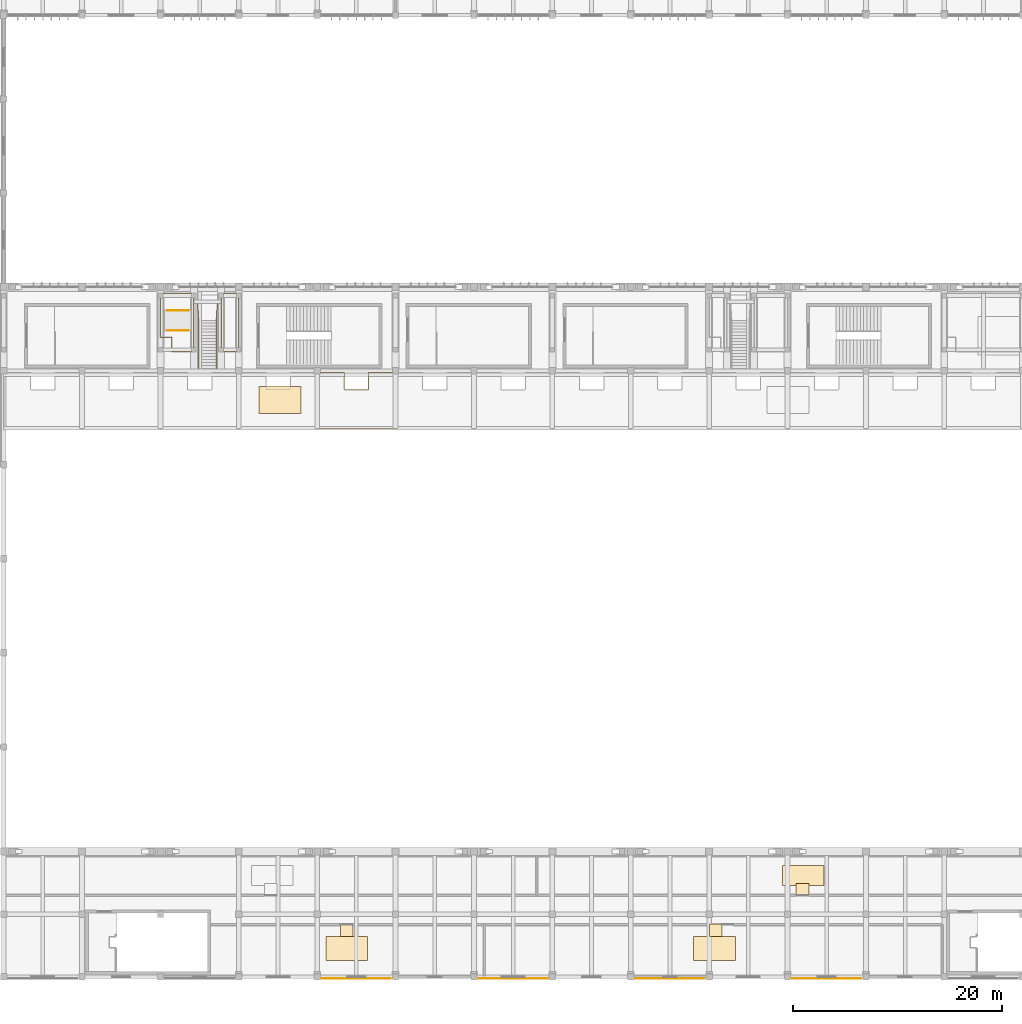
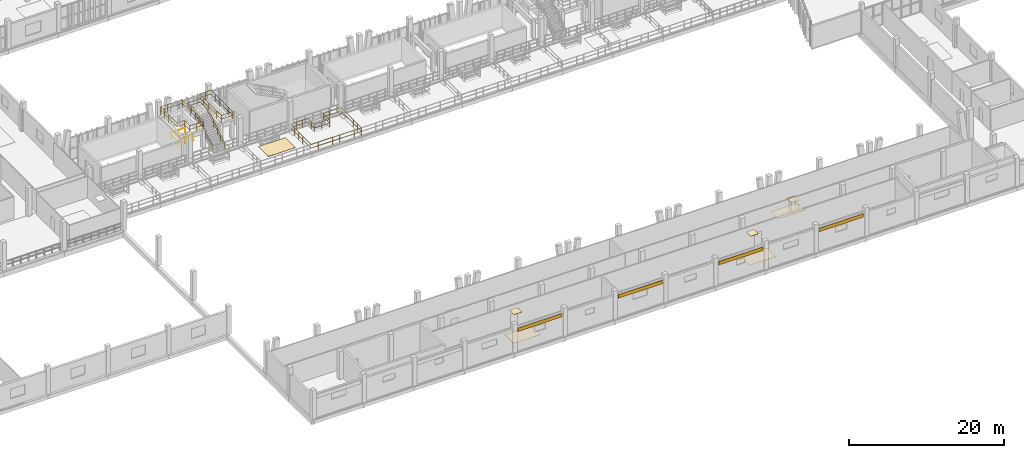
# One storey, part 68 of 81: 11 coverings, 6 railings.
"""IFC4 building model written with IfcOpenShell, lengths in metres."""

from ifc_helpers import new_model, si_unit, direction, frame, origin, origin_2d, place, context, subcontext, project, spatial, rectangle, circle, extrude, material, layer, layer_set, type_object, element, save


model = new_model("IFC4")

# Units and contexts
model_context = context("Model", 3, precision=1e-05, world=origin(), true_north=direction((0.0, 1.0)))
body_context = subcontext(model_context, "Body", "Model", "MODEL_VIEW")
ifc_project = project(units=[si_unit("LENGTHUNIT", "METRE"), si_unit("AREAUNIT", "SQUARE_METRE"), si_unit("VOLUMEUNIT", "CUBIC_METRE"), si_unit("PLANEANGLEUNIT", "RADIAN"), si_unit("MASSUNIT", "GRAM", prefix="KILO")], contexts=[model_context])

# Site, building, storey
site_placement = place(None, origin())
site = spatial("IfcSite", under=ifc_project, at=site_placement, CompositionType="ELEMENT")
building_placement = place(site_placement, origin())
building = spatial("IfcBuilding", under=site, at=building_placement, Name="Vourika Railside Aquatics Centre", CompositionType="ELEMENT")
storey_placement = place(building_placement, frame((0.0, 0.0, 4.800048828125)))
storey = spatial("IfcBuildingStorey", under=building, at=storey_placement, Name="L01", CompositionType="ELEMENT", Elevation=4.800048828125)

# Coverings
ifc_material_1 = material(Name="Perforated moisture-resistant acoustic gypsum ceiling")
ifc_layer_1 = layer(ifc_material_1, 0.02490234375, Name="COV-CEIL-25")
ifc_layer_set_1 = layer_set([ifc_layer_1], Name="Perforated moisture-resistant acoustic gypsum ceiling")
covering_type_1 = type_object("IfcCoveringType", Name="COV-CEIL-25", PredefinedType="CEILING", material=ifc_layer_set_1)
for number, where, z_axis, x_axis, name in (
    (1, (68.820068359375, 4.47998046875, 2.637451171875), (0.0, 0.0, 1.0), (1.0, 0.0, 0.0), "School Group Wet Changing Suite Acoustic Ceiling Panel"),
    (2, (104.14501953125, 4.47998046875, 2.637451171875), (0.0, 0.0, 1.0), (1.0, 0.0, 0.0), "Swimming Club Locker and Changing Suite Acoustic Ceiling Panel"),
    (3, (112.43505859375, 8.320068359375, 2.637451171875), (0.0, 0.0, 1.0), (1.0, 0.0, 0.0), "Championship Officials and Timekeepers Changing Suite East Acoustic Ceiling Panel"),
):
    element("IfcCovering", number, at=place(storey_placement, frame(where, z_axis=z_axis, x_axis=x_axis)), inside=storey, type_object=covering_type_1, Name=name, PredefinedType="CEILING", context=body_context, shape_type="SweptSolid", body=[
        extrude(rectangle(XDim=1.199951171875, YDim=1.199951171875, at=origin_2d()), origin(), (0.0, 0.0, 1.0), 0.02490234375),
    ])
ifc_material_2 = material(Name="Bronze-anodized aluminium rainscreen", Category="aluminium")
ifc_layer_2 = layer(ifc_material_2, 0.044921875, Name="COV-CLAD-45")
ifc_layer_set_2 = layer_set([ifc_layer_2], Name="Bronze-anodized aluminium rainscreen")
covering_type_2 = type_object("IfcCoveringType", Name="COV-CLAD-45", PredefinedType="CLADDING", material=ifc_layer_set_2)
for number, where, z_axis, x_axis, name in (
    (4, (69.75, -0.1650390625, 3.07470703125), (0.0, 0.0, 1.0), (1.0, 0.0, 0.0), "Perforated Bronze Rainscreen Band CL-034"),
    (5, (84.75, -0.1650390625, 3.07470703125), (0.0, 0.0, 1.0), (1.0, 0.0, 0.0), "Perforated Bronze Rainscreen Band CL-035"),
    (6, (99.75, -0.1650390625, 3.07470703125), (0.0, 0.0, 1.0), (1.0, 0.0, 0.0), "Perforated Bronze Rainscreen Band CL-036"),
    (7, (114.75, -0.1650390625, 3.07470703125), (0.0, 0.0, 1.0), (1.0, 0.0, 0.0), "Perforated Bronze Rainscreen Band CL-037"),
):
    element("IfcCovering", number, at=place(storey_placement, frame(where, z_axis=z_axis, x_axis=x_axis)), inside=storey, type_object=covering_type_2, Name=name, PredefinedType="CLADDING", context=body_context, shape_type="SweptSolid", body=[
        extrude(rectangle(XDim=6.60009765625, YDim=0.044921875, at=origin_2d()), origin(), (0.0, 0.0, 1.0), 0.550048828125),
    ])
ifc_material_3 = material(Name="Slip-resistant aqua ceramic sports flooring")
ifc_layer_3 = layer(ifc_material_3, 0.02001953125, Name="COV-FLOR-20")
ifc_layer_set_3 = layer_set([ifc_layer_3], Name="Slip-resistant aqua ceramic sports flooring")
covering_type_3 = type_object("IfcCoveringType", Name="COV-FLOR-20", PredefinedType="FLOORING", material=ifc_layer_set_3)
covering_1_placement = place(storey_placement, frame((62.449951171875, 55.199951171875, 0.0), z_axis=(0.0, 0.0, 1.0), x_axis=(1.0, 0.0, 0.0)))
element("IfcCovering", 8, at=covering_1_placement, inside=storey, type_object=covering_type_3, Name="Lower Tier Stands Sports Flooring Panel", PredefinedType="FLOORING", context=body_context, shape_type="SweptSolid", body=[
    extrude(rectangle(XDim=4.0, YDim=2.60009765625, at=origin_2d()), origin(), (0.0, 0.0, 1.0), 0.02001953125),
])
for number, where, z_axis, x_axis, name in (
    (9, (68.820068359375, 2.699951171875, 0.0), (0.0, 0.0, 1.0), (1.0, 0.0, 0.0), "School Group Wet Changing Suite Sports Flooring Panel"),
    (10, (104.0, 2.699951171875, 0.0), (0.0, 0.0, 1.0), (1.0, 0.0, 0.0), "Swimming Club Locker and Changing Suite Sports Flooring Panel"),
):
    element("IfcCovering", number, at=place(storey_placement, frame(where, z_axis=z_axis, x_axis=x_axis)), inside=storey, type_object=covering_type_3, Name=name, PredefinedType="FLOORING", context=body_context, shape_type="SweptSolid", body=[
        extrude(rectangle(XDim=4.0, YDim=2.300048828125, at=origin_2d()), origin(), (0.0, 0.0, 1.0), 0.02001953125),
    ])
covering_2_placement = place(storey_placement, frame((112.5, 9.699951171875, 0.0), z_axis=(0.0, 0.0, 1.0), x_axis=(1.0, 0.0, 0.0)))
element("IfcCovering", 11, at=covering_2_placement, inside=storey, type_object=covering_type_3, Name="Championship Officials and Timekeepers Changing Suite East Sports Flooring Panel", PredefinedType="FLOORING", context=body_context, shape_type="SweptSolid", body=[
    extrude(rectangle(XDim=4.0, YDim=1.89990234375, at=origin_2d()), origin(), (0.0, 0.0, 1.0), 0.02001953125),
])

# Railings
ifc_material_4 = material(Name="Duplex stainless steel EN 1.4462", Category="steel")
railing_type_1 = type_object("IfcRailingType", Name="RL-BAL-STD120", PredefinedType="BALUSTRADE", material=ifc_material_4)
railing_1_placement = place(storey_placement, frame((54.199951171875, 59.800048828125, 3.02001953125)))
element("IfcRailing", 12, at=railing_1_placement, inside=storey, type_object=railing_type_1, Name="Spectator Stand Crowd Barrier (Stand Upper Tier Bay 03-1)", PredefinedType="BALUSTRADE", context=body_context, shape_type="SweptSolid", body=[
    extrude(circle(Radius=0.02392578125, at=origin_2d()), frame((0.0, 0.0, 1.17578125), z_axis=(-1.0, 0.0, 0.0), x_axis=(0.0, -1.0, 0.0)), (0.0, 0.0, 1.0), 2.099853515625),
    extrude(circle(Radius=0.02392578125, at=origin_2d()), frame((0.0, 0.0, 0.60009765625), z_axis=(-1.0, 0.0, 0.0), x_axis=(0.0, -1.0, 0.0)), (0.0, 0.0, 1.0), 2.099853515625),
    extrude(circle(Radius=0.02392578125, at=origin_2d()), frame((-2.099853515625, 0.0, 1.17578125), z_axis=(0.0, 1.0, 0.0), x_axis=(-1.0, 0.0, 0.0)), (0.0, 0.0, 1.0), 1.39990234375),
    extrude(circle(Radius=0.02392578125, at=origin_2d()), frame((-2.099853515625, 0.0, 0.60009765625), z_axis=(0.0, 1.0, 0.0), x_axis=(-1.0, 0.0, 0.0)), (0.0, 0.0, 1.0), 1.39990234375),
    extrude(circle(Radius=0.02392578125, at=origin_2d()), frame((-2.099853515625, 1.39990234375, 1.17578125), z_axis=(-1.0, 0.0, 0.0), x_axis=(0.0, -1.0, 0.0)), (0.0, 0.0, 1.0), 1.10009765625),
    extrude(circle(Radius=0.02392578125, at=origin_2d()), frame((-2.099853515625, 1.39990234375, 0.60009765625), z_axis=(-1.0, 0.0, 0.0), x_axis=(0.0, -1.0, 0.0)), (0.0, 0.0, 1.0), 1.10009765625),
    extrude(circle(Radius=0.02392578125, at=origin_2d()), frame((-3.199951171875, 1.39990234375, 1.17578125), z_axis=(0.0, 1.0, 0.0), x_axis=(-1.0, 0.0, 0.0)), (0.0, 0.0, 1.0), 4.199951171875),
    extrude(circle(Radius=0.02392578125, at=origin_2d()), frame((-3.199951171875, 1.39990234375, 0.60009765625), z_axis=(0.0, 1.0, 0.0), x_axis=(-1.0, 0.0, 0.0)), (0.0, 0.0, 1.0), 4.199951171875),
    extrude(circle(Radius=0.02392578125, at=origin_2d()), frame((-3.199951171875, 5.599853515625, 1.17578125), z_axis=(1.0, 0.0, 0.0), x_axis=(0.0, 1.0, 0.0)), (0.0, 0.0, 1.0), 3.199951171875),
    extrude(circle(Radius=0.02392578125, at=origin_2d()), frame((-3.199951171875, 5.599853515625, 0.60009765625), z_axis=(1.0, 0.0, 0.0), x_axis=(0.0, 1.0, 0.0)), (0.0, 0.0, 1.0), 3.199951171875),
    extrude(circle(Radius=0.02392578125, at=origin_2d()), frame((0.0, 5.599853515625, 1.17578125), z_axis=(0.0, -1.0, 0.0), x_axis=(1.0, 0.0, 0.0)), (0.0, 0.0, 1.0), 5.599853515625),
    extrude(circle(Radius=0.02392578125, at=origin_2d()), frame((0.0, 5.599853515625, 0.60009765625), z_axis=(0.0, -1.0, 0.0), x_axis=(1.0, 0.0, 0.0)), (0.0, 0.0, 1.0), 5.599853515625),
    extrude(circle(Radius=0.02099609375, at=origin_2d()), origin(), (0.0, 0.0, 1.0), 1.15185546875),
    extrude(circle(Radius=0.02099609375, at=origin_2d()), frame((-1.0498046875, 0.0, 0.0)), (0.0, 0.0, 1.0), 1.15185546875),
    extrude(circle(Radius=0.02099609375, at=origin_2d()), frame((-2.099853515625, 0.0, 0.0)), (0.0, 0.0, 1.0), 1.15185546875),
    extrude(circle(Radius=0.02099609375, at=origin_2d()), frame((-2.099853515625, 0.699951171875, 0.0)), (0.0, 0.0, 1.0), 1.15185546875),
    extrude(circle(Radius=0.02099609375, at=origin_2d()), frame((-2.099853515625, 1.39990234375, 0.0)), (0.0, 0.0, 1.0), 1.15185546875),
    extrude(circle(Radius=0.02099609375, at=origin_2d()), frame((-3.199951171875, 1.39990234375, 0.0)), (0.0, 0.0, 1.0), 1.15185546875),
    extrude(circle(Radius=0.02099609375, at=origin_2d()), frame((-3.199951171875, 2.449951171875, 0.0)), (0.0, 0.0, 1.0), 1.15185546875),
    extrude(circle(Radius=0.02099609375, at=origin_2d()), frame((-3.199951171875, 3.5, 0.0)), (0.0, 0.0, 1.0), 1.15185546875),
    extrude(circle(Radius=0.02099609375, at=origin_2d()), frame((-3.199951171875, 4.5498046875, 0.0)), (0.0, 0.0, 1.0), 1.15185546875),
    extrude(circle(Radius=0.02099609375, at=origin_2d()), frame((-3.199951171875, 5.599853515625, 0.0)), (0.0, 0.0, 1.0), 1.15185546875),
    extrude(circle(Radius=0.02099609375, at=origin_2d()), frame((-2.13330078125, 5.599853515625, 0.0)), (0.0, 0.0, 1.0), 1.15185546875),
    extrude(circle(Radius=0.02099609375, at=origin_2d()), frame((-1.066650390625, 5.599853515625, 0.0)), (0.0, 0.0, 1.0), 1.15185546875),
    extrude(circle(Radius=0.02099609375, at=origin_2d()), frame((0.0, 5.599853515625, 0.0)), (0.0, 0.0, 1.0), 1.15185546875),
    extrude(circle(Radius=0.02099609375, at=origin_2d()), frame((0.0, 4.47998046875, 0.0)), (0.0, 0.0, 1.0), 1.15185546875),
    extrude(circle(Radius=0.02099609375, at=origin_2d()), frame((0.0, 3.35986328125, 0.0)), (0.0, 0.0, 1.0), 1.15185546875),
    extrude(circle(Radius=0.02099609375, at=origin_2d()), frame((0.0, 2.239990234375, 0.0)), (0.0, 0.0, 1.0), 1.15185546875),
    extrude(circle(Radius=0.02099609375, at=origin_2d()), frame((0.0, 1.119873046875, 0.0)), (0.0, 0.0, 1.0), 1.15185546875),
])
railing_2_placement = place(storey_placement, frame((58.5, 59.800048828125, 3.02001953125)))
element("IfcRailing", 13, at=railing_2_placement, inside=storey, type_object=railing_type_1, Name="Spectator Stand Crowd Barrier (Stand Upper Tier Bay 03-2)", PredefinedType="BALUSTRADE", context=body_context, shape_type="SweptSolid", body=[
    extrude(circle(Radius=0.02392578125, at=origin_2d()), frame((0.0, 0.0, 1.17578125), z_axis=(-1.0, 0.0, 0.0), x_axis=(0.0, -1.0, 0.0)), (0.0, 0.0, 1.0), 1.699951171875),
    extrude(circle(Radius=0.02392578125, at=origin_2d()), frame((0.0, 0.0, 0.60009765625), z_axis=(-1.0, 0.0, 0.0), x_axis=(0.0, -1.0, 0.0)), (0.0, 0.0, 1.0), 1.699951171875),
    extrude(circle(Radius=0.02392578125, at=origin_2d()), frame((-1.699951171875, 0.0, 1.17578125), z_axis=(0.0, 1.0, 0.0), x_axis=(-1.0, 0.0, 0.0)), (0.0, 0.0, 1.0), 5.599853515625),
    extrude(circle(Radius=0.02392578125, at=origin_2d()), frame((-1.699951171875, 0.0, 0.60009765625), z_axis=(0.0, 1.0, 0.0), x_axis=(-1.0, 0.0, 0.0)), (0.0, 0.0, 1.0), 5.599853515625),
    extrude(circle(Radius=0.02392578125, at=origin_2d()), frame((-1.699951171875, 5.599853515625, 1.17578125), z_axis=(1.0, 0.0, 0.0), x_axis=(0.0, 1.0, 0.0)), (0.0, 0.0, 1.0), 1.699951171875),
    extrude(circle(Radius=0.02392578125, at=origin_2d()), frame((-1.699951171875, 5.599853515625, 0.60009765625), z_axis=(1.0, 0.0, 0.0), x_axis=(0.0, 1.0, 0.0)), (0.0, 0.0, 1.0), 1.699951171875),
    extrude(circle(Radius=0.02392578125, at=origin_2d()), frame((0.0, 5.599853515625, 1.17578125), z_axis=(0.0, -1.0, 0.0), x_axis=(1.0, 0.0, 0.0)), (0.0, 0.0, 1.0), 5.599853515625),
    extrude(circle(Radius=0.02392578125, at=origin_2d()), frame((0.0, 5.599853515625, 0.60009765625), z_axis=(0.0, -1.0, 0.0), x_axis=(1.0, 0.0, 0.0)), (0.0, 0.0, 1.0), 5.599853515625),
    extrude(circle(Radius=0.02099609375, at=origin_2d()), origin(), (0.0, 0.0, 1.0), 1.15185546875),
    extrude(circle(Radius=0.02099609375, at=origin_2d()), frame((-0.85009765625, 0.0, 0.0)), (0.0, 0.0, 1.0), 1.15185546875),
    extrude(circle(Radius=0.02099609375, at=origin_2d()), frame((-1.699951171875, 0.0, 0.0)), (0.0, 0.0, 1.0), 1.15185546875),
    extrude(circle(Radius=0.02099609375, at=origin_2d()), frame((-1.699951171875, 1.119873046875, 0.0)), (0.0, 0.0, 1.0), 1.15185546875),
    extrude(circle(Radius=0.02099609375, at=origin_2d()), frame((-1.699951171875, 2.239990234375, 0.0)), (0.0, 0.0, 1.0), 1.15185546875),
    extrude(circle(Radius=0.02099609375, at=origin_2d()), frame((-1.699951171875, 3.35986328125, 0.0)), (0.0, 0.0, 1.0), 1.15185546875),
    extrude(circle(Radius=0.02099609375, at=origin_2d()), frame((-1.699951171875, 4.47998046875, 0.0)), (0.0, 0.0, 1.0), 1.15185546875),
    extrude(circle(Radius=0.02099609375, at=origin_2d()), frame((-1.699951171875, 5.599853515625, 0.0)), (0.0, 0.0, 1.0), 1.15185546875),
    extrude(circle(Radius=0.02099609375, at=origin_2d()), frame((-0.85009765625, 5.599853515625, 0.0)), (0.0, 0.0, 1.0), 1.15185546875),
    extrude(circle(Radius=0.02099609375, at=origin_2d()), frame((0.0, 5.599853515625, 0.0)), (0.0, 0.0, 1.0), 1.15185546875),
    extrude(circle(Radius=0.02099609375, at=origin_2d()), frame((0.0, 4.47998046875, 0.0)), (0.0, 0.0, 1.0), 1.15185546875),
    extrude(circle(Radius=0.02099609375, at=origin_2d()), frame((0.0, 3.35986328125, 0.0)), (0.0, 0.0, 1.0), 1.15185546875),
    extrude(circle(Radius=0.02099609375, at=origin_2d()), frame((0.0, 2.239990234375, 0.0)), (0.0, 0.0, 1.0), 1.15185546875),
    extrude(circle(Radius=0.02099609375, at=origin_2d()), frame((0.0, 1.119873046875, 0.0)), (0.0, 0.0, 1.0), 1.15185546875),
])
railing_3_placement = place(storey_placement, frame((73.5, 57.800048828125, -0.35009765625)))
element("IfcRailing", 14, at=railing_3_placement, inside=storey, type_object=railing_type_1, Name="Spectator Stand Crowd Barrier (Stand Lower Tier Bay 05)", PredefinedType="BALUSTRADE", context=body_context, shape_type="SweptSolid", body=[
    extrude(circle(Radius=0.02392578125, at=origin_2d()), frame((0.0, 0.0, 1.17578125), z_axis=(0.0, -1.0, 0.0), x_axis=(1.0, 0.0, 0.0)), (0.0, 0.0, 1.0), 5.300048828125),
    extrude(circle(Radius=0.02392578125, at=origin_2d()), frame((0.0, 0.0, 0.60009765625), z_axis=(0.0, -1.0, 0.0), x_axis=(1.0, 0.0, 0.0)), (0.0, 0.0, 1.0), 5.300048828125),
    extrude(circle(Radius=0.02392578125, at=origin_2d()), frame((0.0, -5.300048828125, 1.17578125), z_axis=(-1.0, 0.0, 0.0), x_axis=(0.0, -1.0, 0.0)), (0.0, 0.0, 1.0), 7.5),
    extrude(circle(Radius=0.02392578125, at=origin_2d()), frame((0.0, -5.300048828125, 0.60009765625), z_axis=(-1.0, 0.0, 0.0), x_axis=(0.0, -1.0, 0.0)), (0.0, 0.0, 1.0), 7.5),
    extrude(circle(Radius=0.02392578125, at=origin_2d()), frame((-7.5, -5.300048828125, 1.17578125), z_axis=(0.0, 1.0, 0.0), x_axis=(-1.0, 0.0, 0.0)), (0.0, 0.0, 1.0), 5.300048828125),
    extrude(circle(Radius=0.02392578125, at=origin_2d()), frame((-7.5, -5.300048828125, 0.60009765625), z_axis=(0.0, 1.0, 0.0), x_axis=(-1.0, 0.0, 0.0)), (0.0, 0.0, 1.0), 5.300048828125),
    extrude(circle(Radius=0.02392578125, at=origin_2d()), frame((-7.5, 0.0, 1.17578125), z_axis=(1.0, 0.0, 0.0), x_axis=(0.0, 1.0, 0.0)), (0.0, 0.0, 1.0), 2.60009765625),
    extrude(circle(Radius=0.02392578125, at=origin_2d()), frame((-7.5, 0.0, 0.60009765625), z_axis=(1.0, 0.0, 0.0), x_axis=(0.0, 1.0, 0.0)), (0.0, 0.0, 1.0), 2.60009765625),
    extrude(circle(Radius=0.02392578125, at=origin_2d()), frame((-4.89990234375, 0.0, 1.17578125), z_axis=(0.0, -1.0, 0.0), x_axis=(1.0, 0.0, 0.0)), (0.0, 0.0, 1.0), 1.60009765625),
    extrude(circle(Radius=0.02392578125, at=origin_2d()), frame((-4.89990234375, 0.0, 0.60009765625), z_axis=(0.0, -1.0, 0.0), x_axis=(1.0, 0.0, 0.0)), (0.0, 0.0, 1.0), 1.60009765625),
    extrude(circle(Radius=0.02392578125, at=origin_2d()), frame((-4.89990234375, -1.60009765625, 1.17578125), z_axis=(1.0, 0.0, 0.0), x_axis=(0.0, 1.0, 0.0)), (0.0, 0.0, 1.0), 2.2998046875),
    extrude(circle(Radius=0.02392578125, at=origin_2d()), frame((-4.89990234375, -1.60009765625, 0.60009765625), z_axis=(1.0, 0.0, 0.0), x_axis=(0.0, 1.0, 0.0)), (0.0, 0.0, 1.0), 2.2998046875),
    extrude(circle(Radius=0.02392578125, at=origin_2d()), frame((-2.60009765625, -1.60009765625, 1.17578125), z_axis=(0.0, 1.0, 0.0), x_axis=(-1.0, 0.0, 0.0)), (0.0, 0.0, 1.0), 1.60009765625),
    extrude(circle(Radius=0.02392578125, at=origin_2d()), frame((-2.60009765625, -1.60009765625, 0.60009765625), z_axis=(0.0, 1.0, 0.0), x_axis=(-1.0, 0.0, 0.0)), (0.0, 0.0, 1.0), 1.60009765625),
    extrude(circle(Radius=0.02392578125, at=origin_2d()), frame((-2.60009765625, 0.0, 1.17578125), z_axis=(1.0, 0.0, 0.0), x_axis=(0.0, 1.0, 0.0)), (0.0, 0.0, 1.0), 2.60009765625),
    extrude(circle(Radius=0.02392578125, at=origin_2d()), frame((-2.60009765625, 0.0, 0.60009765625), z_axis=(1.0, 0.0, 0.0), x_axis=(0.0, 1.0, 0.0)), (0.0, 0.0, 1.0), 2.60009765625),
    extrude(circle(Radius=0.02099609375, at=origin_2d()), origin(), (0.0, 0.0, 1.0), 1.15185546875),
    extrude(circle(Radius=0.02099609375, at=origin_2d()), frame((0.0, -1.06005859375, 0.0)), (0.0, 0.0, 1.0), 1.15185546875),
    extrude(circle(Radius=0.02099609375, at=origin_2d()), frame((0.0, -2.1201171875, 0.0)), (0.0, 0.0, 1.0), 1.15185546875),
    extrude(circle(Radius=0.02099609375, at=origin_2d()), frame((0.0, -3.179931640625, 0.0)), (0.0, 0.0, 1.0), 1.15185546875),
    extrude(circle(Radius=0.02099609375, at=origin_2d()), frame((0.0, -4.239990234375, 0.0)), (0.0, 0.0, 1.0), 1.15185546875),
    extrude(circle(Radius=0.02099609375, at=origin_2d()), frame((0.0, -5.300048828125, 0.0)), (0.0, 0.0, 1.0), 1.15185546875),
    extrude(circle(Radius=0.02099609375, at=origin_2d()), frame((-1.071533203125, -5.300048828125, 0.0)), (0.0, 0.0, 1.0), 1.15185546875),
    extrude(circle(Radius=0.02099609375, at=origin_2d()), frame((-2.142822265625, -5.300048828125, 0.0)), (0.0, 0.0, 1.0), 1.15185546875),
    extrude(circle(Radius=0.02099609375, at=origin_2d()), frame((-3.21435546875, -5.300048828125, 0.0)), (0.0, 0.0, 1.0), 1.15185546875),
    extrude(circle(Radius=0.02099609375, at=origin_2d()), frame((-4.28564453125, -5.300048828125, 0.0)), (0.0, 0.0, 1.0), 1.15185546875),
    extrude(circle(Radius=0.02099609375, at=origin_2d()), frame((-5.357177734375, -5.300048828125, 0.0)), (0.0, 0.0, 1.0), 1.15185546875),
    extrude(circle(Radius=0.02099609375, at=origin_2d()), frame((-6.428466796875, -5.300048828125, 0.0)), (0.0, 0.0, 1.0), 1.15185546875),
    extrude(circle(Radius=0.02099609375, at=origin_2d()), frame((-7.5, -5.300048828125, 0.0)), (0.0, 0.0, 1.0), 1.15185546875),
    extrude(circle(Radius=0.02099609375, at=origin_2d()), frame((-7.5, -4.239990234375, 0.0)), (0.0, 0.0, 1.0), 1.15185546875),
    extrude(circle(Radius=0.02099609375, at=origin_2d()), frame((-7.5, -3.179931640625, 0.0)), (0.0, 0.0, 1.0), 1.15185546875),
    extrude(circle(Radius=0.02099609375, at=origin_2d()), frame((-7.5, -2.1201171875, 0.0)), (0.0, 0.0, 1.0), 1.15185546875),
    extrude(circle(Radius=0.02099609375, at=origin_2d()), frame((-7.5, -1.06005859375, 0.0)), (0.0, 0.0, 1.0), 1.15185546875),
    extrude(circle(Radius=0.02099609375, at=origin_2d()), frame((-7.5, 0.0, 0.0)), (0.0, 0.0, 1.0), 1.15185546875),
    extrude(circle(Radius=0.02099609375, at=origin_2d()), frame((-6.63330078125, 0.0, 0.0)), (0.0, 0.0, 1.0), 1.15185546875),
    extrude(circle(Radius=0.02099609375, at=origin_2d()), frame((-5.7666015625, 0.0, 0.0)), (0.0, 0.0, 1.0), 1.15185546875),
    extrude(circle(Radius=0.02099609375, at=origin_2d()), frame((-4.89990234375, 0.0, 0.0)), (0.0, 0.0, 1.0), 1.15185546875),
    extrude(circle(Radius=0.02099609375, at=origin_2d()), frame((-4.89990234375, -0.800048828125, 0.0)), (0.0, 0.0, 1.0), 1.15185546875),
    extrude(circle(Radius=0.02099609375, at=origin_2d()), frame((-4.89990234375, -1.60009765625, 0.0)), (0.0, 0.0, 1.0), 1.15185546875),
    extrude(circle(Radius=0.02099609375, at=origin_2d()), frame((-3.75, -1.60009765625, 0.0)), (0.0, 0.0, 1.0), 1.15185546875),
    extrude(circle(Radius=0.02099609375, at=origin_2d()), frame((-2.60009765625, -1.60009765625, 0.0)), (0.0, 0.0, 1.0), 1.15185546875),
    extrude(circle(Radius=0.02099609375, at=origin_2d()), frame((-2.60009765625, -0.800048828125, 0.0)), (0.0, 0.0, 1.0), 1.15185546875),
    extrude(circle(Radius=0.02099609375, at=origin_2d()), frame((-2.60009765625, 0.0, 0.0)), (0.0, 0.0, 1.0), 1.15185546875),
    extrude(circle(Radius=0.02099609375, at=origin_2d()), frame((-1.7333984375, 0.0, 0.0)), (0.0, 0.0, 1.0), 1.15185546875),
    extrude(circle(Radius=0.02099609375, at=origin_2d()), frame((-0.86669921875, 0.0, 0.0)), (0.0, 0.0, 1.0), 1.15185546875),
])
railing_type_2 = type_object("IfcRailingType", Name="RL-HAND-920", PredefinedType="HANDRAIL", material=ifc_material_4)
for number, where, name in (
    (15, (51.64990234375, 63.75, 0.011962890625), "Grandstand Wheelchair Viewing Ramp AR4 Handrail L"),
    (16, (51.64990234375, 61.85009765625, 0.011962890625), "Grandstand Wheelchair Viewing Ramp AR4 Handrail R"),
):
    element("IfcRailing", number, at=place(storey_placement, frame(where)), inside=storey, type_object=railing_type_2, Name=name, PredefinedType="HANDRAIL", context=body_context, shape_type="SweptSolid", body=[
        extrude(circle(Radius=0.02392578125, at=origin_2d()), frame((0.0, 0.0, 0.89599609375), z_axis=(0.998850305831, 0.0, 0.047938153299), x_axis=(0.0, 1.0, 0.0)), (0.0, 0.0, 1.0), 2.052490234375),
        extrude(circle(Radius=0.02099609375, at=origin_2d()), origin(), (0.0, 0.0, 1.0), 0.871826171875),
        extrude(circle(Radius=0.02099609375, at=origin_2d()), frame((1.02490234375, 0.0, 0.04931640625)), (0.0, 0.0, 1.0), 0.871826171875),
        extrude(circle(Radius=0.02099609375, at=origin_2d()), frame((2.050048828125, 0.0, 0.098388671875)), (0.0, 0.0, 1.0), 0.871826171875),
    ])
railing_type_3 = type_object("IfcRailingType", Name="RL-STAIR-1120", PredefinedType="BALUSTRADE", material=ifc_material_4)
railing_4_placement = place(storey_placement, frame((54.64990234375, 58.199951171875, 0.0)))
element("IfcRailing", 17, at=railing_4_placement, inside=storey, type_object=railing_type_3, Name="Vomitory VOM5 Gangway Guardrail", PredefinedType="BALUSTRADE", context=body_context, shape_type="SweptSolid", body=[
    extrude(circle(Radius=0.02392578125, at=origin_2d()), frame((0.0, 0.0, 1.09619140625), z_axis=(0.0, 0.84184559716, 0.539718436356), x_axis=(-1.0, 0.0, 0.0)), (0.0, 0.0, 1.0), 5.511962890625),
    extrude(circle(Radius=0.02392578125, at=origin_2d()), frame((0.0, 0.0, 0.56005859375), z_axis=(0.0, 0.84184559716, 0.539718436356), x_axis=(-1.0, 0.0, 0.0)), (0.0, 0.0, 1.0), 5.511962890625),
    extrude(circle(Radius=0.02392578125, at=origin_2d()), frame((0.0, 4.64013671875, 4.07080078125), z_axis=(-0.06265566985, 0.998035203305, 0.0), x_axis=(-0.998035203305, -0.06265566985, 0.0)), (0.0, 0.0, 1.0), 1.75341796875),
    extrude(circle(Radius=0.02392578125, at=origin_2d()), frame((0.0, 4.64013671875, 3.534912109375), z_axis=(-0.06265566985, 0.998035203305, 0.0), x_axis=(-0.998035203305, -0.06265566985, 0.0)), (0.0, 0.0, 1.0), 1.75341796875),
    extrude(circle(Radius=0.02392578125, at=origin_2d()), frame((-0.10986328125, 6.39013671875, 4.07080078125), z_axis=(1.0, 0.0, 0.0), x_axis=(0.0, 1.0, 0.0)), (0.0, 0.0, 1.0), 1.919921875),
    extrude(circle(Radius=0.02392578125, at=origin_2d()), frame((-0.10986328125, 6.39013671875, 3.534912109375), z_axis=(1.0, 0.0, 0.0), x_axis=(0.0, 1.0, 0.0)), (0.0, 0.0, 1.0), 1.919921875),
    extrude(circle(Radius=0.02392578125, at=origin_2d()), frame((1.81005859375, 6.39013671875, 4.07080078125), z_axis=(-0.06265566985, -0.998035203305, 0.0), x_axis=(0.998035203305, -0.06265566985, 0.0)), (0.0, 0.0, 1.0), 1.75341796875),
    extrude(circle(Radius=0.02392578125, at=origin_2d()), frame((1.81005859375, 6.39013671875, 3.534912109375), z_axis=(-0.06265566985, -0.998035203305, 0.0), x_axis=(0.998035203305, -0.06265566985, 0.0)), (0.0, 0.0, 1.0), 1.75341796875),
    extrude(circle(Radius=0.02392578125, at=origin_2d()), frame((1.7001953125, 4.64013671875, 4.07080078125), z_axis=(0.0, -0.84184559716, -0.539718436356), x_axis=(1.0, 0.0, 0.0)), (0.0, 0.0, 1.0), 5.511962890625),
    extrude(circle(Radius=0.02392578125, at=origin_2d()), frame((1.7001953125, 4.64013671875, 3.534912109375), z_axis=(0.0, -0.84184559716, -0.539718436356), x_axis=(1.0, 0.0, 0.0)), (0.0, 0.0, 1.0), 5.511962890625),
    extrude(circle(Radius=0.02099609375, at=origin_2d()), origin(), (0.0, 0.0, 1.0), 1.072021484375),
    extrude(circle(Radius=0.02099609375, at=origin_2d()), frame((0.0, 0.927978515625, 0.594970703125)), (0.0, 0.0, 1.0), 1.072021484375),
    extrude(circle(Radius=0.02099609375, at=origin_2d()), frame((0.0, 1.85595703125, 1.18994140625)), (0.0, 0.0, 1.0), 1.072021484375),
    extrude(circle(Radius=0.02099609375, at=origin_2d()), frame((0.0, 2.7841796875, 1.784912109375)), (0.0, 0.0, 1.0), 1.072021484375),
    extrude(circle(Radius=0.02099609375, at=origin_2d()), frame((0.0, 3.712158203125, 2.3798828125)), (0.0, 0.0, 1.0), 1.072021484375),
    extrude(circle(Radius=0.02099609375, at=origin_2d()), frame((0.0, 4.64013671875, 2.974853515625)), (0.0, 0.0, 1.0), 1.072021484375),
    extrude(circle(Radius=0.02099609375, at=origin_2d()), frame((-0.054931640625, 5.51513671875, 2.974853515625)), (0.0, 0.0, 1.0), 1.072021484375),
    extrude(circle(Radius=0.02099609375, at=origin_2d()), frame((-0.10986328125, 6.39013671875, 2.974853515625)), (0.0, 0.0, 1.0), 1.072021484375),
    extrude(circle(Radius=0.02099609375, at=origin_2d()), frame((0.85009765625, 6.39013671875, 2.974853515625)), (0.0, 0.0, 1.0), 1.072021484375),
    extrude(circle(Radius=0.02099609375, at=origin_2d()), frame((1.81005859375, 6.39013671875, 2.974853515625)), (0.0, 0.0, 1.0), 1.072021484375),
    extrude(circle(Radius=0.02099609375, at=origin_2d()), frame((1.755126953125, 5.51513671875, 2.974853515625)), (0.0, 0.0, 1.0), 1.072021484375),
    extrude(circle(Radius=0.02099609375, at=origin_2d()), frame((1.7001953125, 4.64013671875, 2.974853515625)), (0.0, 0.0, 1.0), 1.072021484375),
    extrude(circle(Radius=0.02099609375, at=origin_2d()), frame((1.7001953125, 3.712158203125, 2.3798828125)), (0.0, 0.0, 1.0), 1.072021484375),
    extrude(circle(Radius=0.02099609375, at=origin_2d()), frame((1.7001953125, 2.7841796875, 1.784912109375)), (0.0, 0.0, 1.0), 1.072021484375),
    extrude(circle(Radius=0.02099609375, at=origin_2d()), frame((1.7001953125, 1.85595703125, 1.18994140625)), (0.0, 0.0, 1.0), 1.072021484375),
    extrude(circle(Radius=0.02099609375, at=origin_2d()), frame((1.7001953125, 0.927978515625, 0.594970703125)), (0.0, 0.0, 1.0), 1.072021484375),
    extrude(circle(Radius=0.02099609375, at=origin_2d()), frame((1.7001953125, 0.0, 0.0)), (0.0, 0.0, 1.0), 1.072021484375),
])

save(model, "model.ifc")
